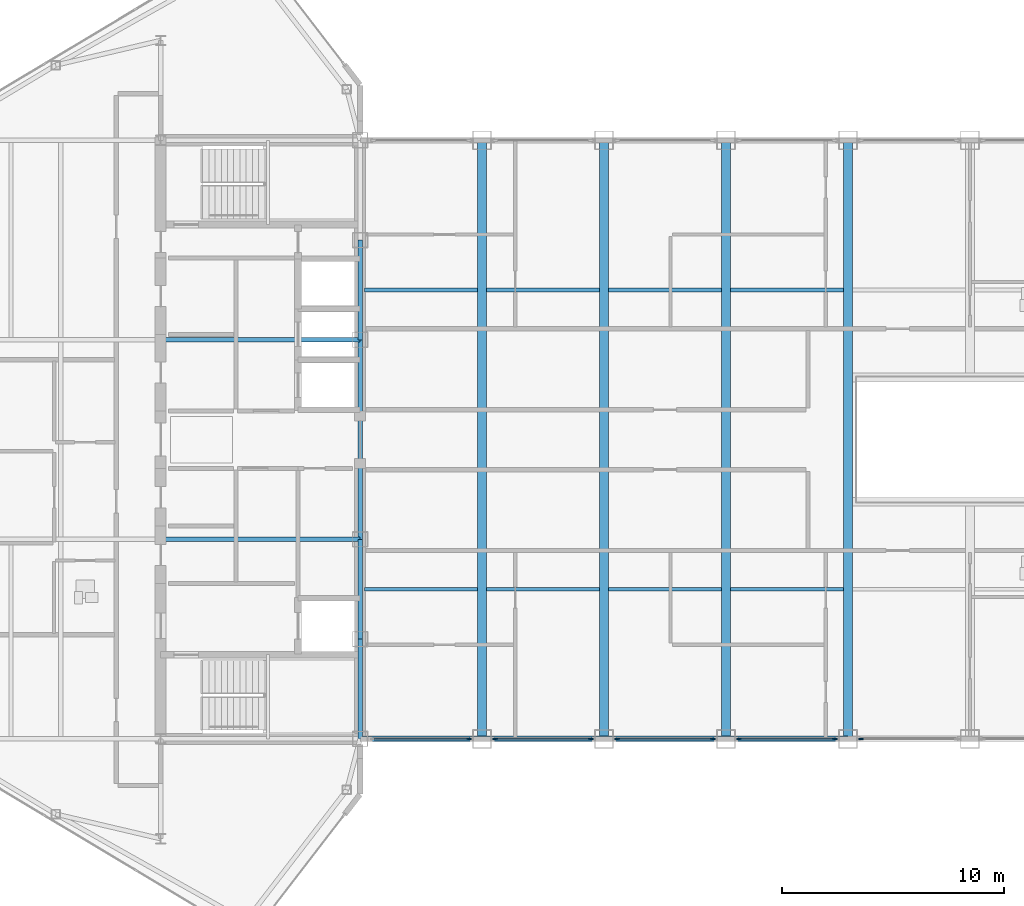
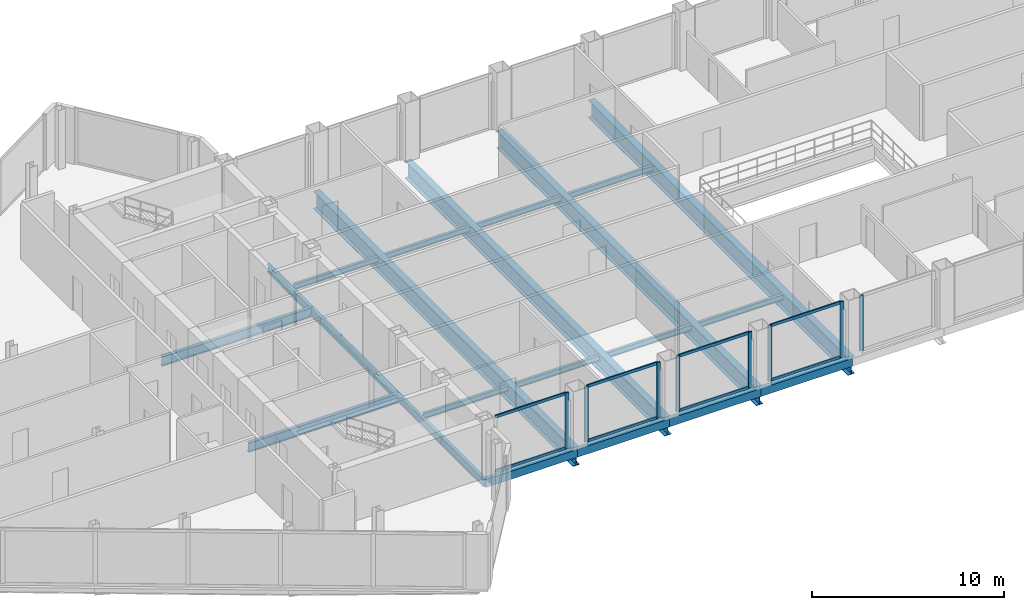
# One storey, part 10 of 29: 22 beams, 16 members, 5 elements without a shape of their own.
"""IFC4 building model written with IfcOpenShell, lengths in metres."""

from ifc_helpers import new_model, si_unit, direction, frame, origin, origin_2d, place, context, subcontext, project, spatial, rectangle, hollow_rectangle, i_section, extrude, source, transform, mapped, material, layer, layer_set, material_profile, profile_set, type_object, type_shapes, element, aggregate, save


model = new_model("IFC4")

# Units and contexts
model_context = context("Model", 3, precision=1e-05, world=origin(), true_north=direction((0.0, 1.0)))
body_context = subcontext(model_context, "Body", "Model", "MODEL_VIEW")
ifc_project = project(units=[si_unit("LENGTHUNIT", "METRE"), si_unit("AREAUNIT", "SQUARE_METRE"), si_unit("VOLUMEUNIT", "CUBIC_METRE"), si_unit("PLANEANGLEUNIT", "RADIAN"), si_unit("MASSUNIT", "GRAM", prefix="KILO")], contexts=[model_context])

# Site, building, storey
site_placement = place(None, origin())
site = spatial("IfcSite", under=ifc_project, at=site_placement, CompositionType="ELEMENT")
building_placement = place(site_placement, origin())
building = spatial("IfcBuilding", under=site, at=building_placement, Name="Seokmaru Belvedere", CompositionType="ELEMENT")
storey_placement = place(building_placement, frame((0.0, 0.0, 243.14990234375)))
storey = spatial("IfcBuildingStorey", under=building, at=storey_placement, Name="L64", CompositionType="ELEMENT", Elevation=243.14990234375)

# Beams
ifc_material_1 = material(Name="Steel SM355 (355 MPa)", Category="steel")
ifc_material_profile_1 = material_profile(ifc_material_1, i_section(OverallWidth=0.199951171875, OverallDepth=0.5, WebThickness=0.010009765625, FlangeThickness=0.01611328125, at=origin_2d()), Name="H-500x200x10x16")
ifc_profile_set_1 = profile_set([ifc_material_profile_1], Name="Steel SM355 (355 MPa)")
beam_type_1 = type_object("IfcBeamType", Name="Perimeter Spandrel Beam H-500", PredefinedType="SPANDREL", material=ifc_profile_set_1)
shared_shape_1 = source(origin(), body_context, "Body", "SweptSolid", [
    extrude(i_section(OverallWidth=0.199951171875, OverallDepth=0.5, WebThickness=0.010009765625, FlangeThickness=0.01611328125, at=origin_2d()), origin(), (0.0, 0.0, 1.0), 4.5),
])
for number, where, z_axis, x_axis, name in (
    (1, (-27.5, -13.5, -0.469970703125), (0.0, 1.0, 0.0), (-1.0, 0.0, 0.0), "L64 W Portal Spine Spandrel 1"),
    (2, (-27.5, -9.0, -0.469970703125), (0.0, 1.0, 0.0), (-1.0, 0.0, 0.0), "L64 W Portal Spine Spandrel 2"),
    (3, (-27.5, 4.5, -0.469970703125), (0.0, 1.0, 0.0), (-1.0, 0.0, 0.0), "L64 W Portal Spine Spandrel 4"),
):
    element("IfcBeam", number, at=place(storey_placement, frame(where, z_axis=z_axis, x_axis=x_axis)), inside=storey, type_object=beam_type_1, Name=name, PredefinedType="SPANDREL", context=body_context, shape_type="MappedRepresentation", body=[
        mapped(shared_shape_1, transform((0.0, 0.0, 0.0), scale=1.0)),
    ])
shared_shape_2 = source(origin(), body_context, "Body", "SweptSolid", [
    extrude(i_section(OverallWidth=0.199951171875, OverallDepth=0.5, WebThickness=0.010009765625, FlangeThickness=0.01611328125, at=origin_2d()), origin(), (0.0, 0.0, 1.0), 9.0),
])
type_shapes(beam_type_1, [shared_shape_1, shared_shape_2])
beam_placement = place(storey_placement, frame((-27.5, -4.5, -0.469970703125), z_axis=(0.0, 1.0, 0.0), x_axis=(-1.0, 0.0, 0.0)))
element("IfcBeam", 4, at=beam_placement, inside=storey, type_object=beam_type_1, Name="L64 W Portal Spine Spandrel 3", PredefinedType="SPANDREL", context=body_context, shape_type="MappedRepresentation", body=[
    mapped(shared_shape_2, transform((0.0, 0.0, 0.0), scale=1.0)),
])
ifc_material_profile_2 = material_profile(ifc_material_1, i_section(OverallWidth=0.199951171875, OverallDepth=0.60009765625, WebThickness=0.010986328125, FlangeThickness=0.01708984375, at=origin_2d()), Name="H-600x200x11x17")
ifc_profile_set_2 = profile_set([ifc_material_profile_2], Name="Steel SM355 (355 MPa)")
beam_type_2 = type_object("IfcBeamType", Name="Primary Floor Girder H-600", PredefinedType="BEAM", material=ifc_profile_set_2)
shared_shape_3 = source(origin(), body_context, "Body", "SweptSolid", [
    extrude(i_section(OverallWidth=0.199951171875, OverallDepth=0.60009765625, WebThickness=0.010986328125, FlangeThickness=0.01708984375, at=origin_2d()), origin(), (0.0, 0.0, 1.0), 9.0),
])
type_shapes(beam_type_2, [shared_shape_3])
for number, where, z_axis, x_axis, name in (
    (5, (-36.5, -4.5, -0.52001953125), (1.0, 0.0, 0.0), (0.0, 1.0, 0.0), "L64 W Core Tie Girder 2"),
    (6, (-36.5, 4.5, -0.52001953125), (1.0, 0.0, 0.0), (0.0, 1.0, 0.0), "L64 W Core Tie Girder 3"),
):
    element("IfcBeam", number, at=place(storey_placement, frame(where, z_axis=z_axis, x_axis=x_axis)), inside=storey, type_object=beam_type_2, Name=name, PredefinedType="BEAM", context=body_context, shape_type="MappedRepresentation", body=[
        mapped(shared_shape_3, transform((0.0, 0.0, 0.0), scale=1.0)),
    ])
ifc_material_profile_3 = material_profile(ifc_material_1, i_section(OverallWidth=0.39990234375, OverallDepth=1.10009765625, WebThickness=0.02001953125, FlangeThickness=0.033935546875, at=origin_2d()), Name="BH-1100x400x20x34")
ifc_profile_set_3 = profile_set([ifc_material_profile_3], Name="Steel SM355 (355 MPa)")
beam_type_3 = type_object("IfcBeamType", Name="Sky-Gate Transverse Girder BH-1100", PredefinedType="BEAM", material=ifc_profile_set_3)
shared_shape_4 = source(origin(), body_context, "Body", "SweptSolid", [
    extrude(i_section(OverallWidth=0.39990234375, OverallDepth=1.10009765625, WebThickness=0.02001953125, FlangeThickness=0.033935546875, at=origin_2d()), origin(), (0.0, 0.0, 1.0), 27.0),
])
type_shapes(beam_type_3, [shared_shape_4])
for number, where, z_axis, x_axis, name in (
    (7, (-22.0, -13.5, -0.77001953125), (0.0, 1.0, 0.0), (-1.0, 0.0, 0.0), "L64 Sky-Gate Transverse Girder 01"),
    (8, (-16.5, -13.5, -0.77001953125), (0.0, 1.0, 0.0), (-1.0, 0.0, 0.0), "L64 Sky-Gate Transverse Girder 02"),
    (9, (-11.0, -13.5, -0.77001953125), (0.0, 1.0, 0.0), (-1.0, 0.0, 0.0), "L64 Sky-Gate Transverse Girder 03"),
    (10, (-5.5, -13.5, -0.77001953125), (0.0, 1.0, 0.0), (-1.0, 0.0, 0.0), "L64 Sky-Gate Transverse Girder 04"),
):
    element("IfcBeam", number, at=place(storey_placement, frame(where, z_axis=z_axis, x_axis=x_axis)), inside=storey, type_object=beam_type_3, Name=name, PredefinedType="BEAM", context=body_context, shape_type="MappedRepresentation", body=[
        mapped(shared_shape_4, transform((0.0, 0.0, 0.0), scale=1.0)),
    ])
ifc_material_profile_4 = material_profile(ifc_material_1, i_section(OverallWidth=0.175048828125, OverallDepth=0.35009765625, WebThickness=0.007080078125, FlangeThickness=0.010986328125, at=origin_2d()), Name="H-350x175x7x11")
ifc_profile_set_4 = profile_set([ifc_material_profile_4], Name="Steel SM355 (355 MPa)")
beam_type_4 = type_object("IfcBeamType", Name="Secondary Floor Joist H-300", PredefinedType="JOIST", material=ifc_profile_set_4)
shared_shape_5 = source(origin(), body_context, "Body", "SweptSolid", [
    extrude(i_section(OverallWidth=0.175048828125, OverallDepth=0.35009765625, WebThickness=0.007080078125, FlangeThickness=0.010986328125, at=origin_2d()), origin(), (0.0, 0.0, 1.0), 5.08984375),
])
type_shapes(beam_type_4, [shared_shape_5])
for number, where, z_axis, x_axis, name in (
    (11, (-27.294921875, -6.75, -0.39501953125), (1.0, 0.0, 0.0), (0.0, 1.0, 0.0), "L64 Sky-Gate Secondary Joist S-01"),
    (12, (-21.794921875, -6.75, -0.39501953125), (1.0, 0.0, 0.0), (0.0, 1.0, 0.0), "L64 Sky-Gate Secondary Joist S-02"),
    (13, (-16.294921875, -6.75, -0.39501953125), (1.0, 0.0, 0.0), (0.0, 1.0, 0.0), "L64 Sky-Gate Secondary Joist S-03"),
    (14, (-10.794921875, -6.75, -0.39501953125), (1.0, 0.0, 0.0), (0.0, 1.0, 0.0), "L64 Sky-Gate Secondary Joist S-04"),
    (15, (-27.294921875, 6.75, -0.39501953125), (1.0, 0.0, 0.0), (0.0, 1.0, 0.0), "L64 Sky-Gate Secondary Joist N-01"),
    (16, (-21.794921875, 6.75, -0.39501953125), (1.0, 0.0, 0.0), (0.0, 1.0, 0.0), "L64 Sky-Gate Secondary Joist N-02"),
    (17, (-16.294921875, 6.75, -0.39501953125), (1.0, 0.0, 0.0), (0.0, 1.0, 0.0), "L64 Sky-Gate Secondary Joist N-03"),
    (18, (-10.794921875, 6.75, -0.39501953125), (1.0, 0.0, 0.0), (0.0, 1.0, 0.0), "L64 Sky-Gate Secondary Joist N-04"),
):
    element("IfcBeam", number, at=place(storey_placement, frame(where, z_axis=z_axis, x_axis=x_axis)), inside=storey, type_object=beam_type_4, Name=name, PredefinedType="JOIST", context=body_context, shape_type="MappedRepresentation", body=[
        mapped(shared_shape_5, transform((0.0, 0.0, 0.0), scale=1.0)),
    ])
ifc_material_profile_5 = material_profile(ifc_material_1, hollow_rectangle(XDim=0.25, YDim=0.5, WallThickness=0.013916015625, at=origin_2d()), Name="RHS-500x250x14")
ifc_profile_set_5 = profile_set([ifc_material_profile_5], Name="Steel SM355 (355 MPa)")
beam_type_5 = type_object("IfcBeamType", Name="Bridge Edge Spandrel RHS-500", PredefinedType="SPANDREL", material=ifc_profile_set_5)
shared_shape_6 = source(origin(), body_context, "Body", "SweptSolid", [
    extrude(hollow_rectangle(XDim=0.25, YDim=0.5, WallThickness=0.013916015625, at=origin_2d()), origin(), (0.0, 0.0, 1.0), 5.5),
])
type_shapes(beam_type_5, [shared_shape_6])
for number, where, z_axis, x_axis, name in (
    (19, (-27.5, -13.5, -0.469970703125), (1.0, 0.0, 0.0), (0.0, 1.0, 0.0), "L64 Sky-Gate Bridge Edge Girder S-01"),
    (20, (-22.0, -13.5, -0.469970703125), (1.0, 0.0, 0.0), (0.0, 1.0, 0.0), "L64 Sky-Gate Bridge Edge Girder S-02"),
    (21, (-16.5, -13.5, -0.469970703125), (1.0, 0.0, 0.0), (0.0, 1.0, 0.0), "L64 Sky-Gate Bridge Edge Girder S-03"),
    (22, (-11.0, -13.5, -0.469970703125), (1.0, 0.0, 0.0), (0.0, 1.0, 0.0), "L64 Sky-Gate Bridge Edge Girder S-04"),
):
    element("IfcBeam", number, at=place(storey_placement, frame(where, z_axis=z_axis, x_axis=x_axis)), inside=storey, type_object=beam_type_5, Name=name, PredefinedType="SPANDREL", context=body_context, shape_type="MappedRepresentation", body=[
        mapped(shared_shape_6, transform((0.0, 0.0, 0.0), scale=1.0)),
    ])

# Curtain wall, members
ifc_material_2 = material(Name="Bronze Triple Insulating Glass", Category="glass")
ifc_layer = layer(ifc_material_2, 0.219970703125)
ifc_layer_set = layer_set([ifc_layer], Name="Bronze Triple Insulating Glass")
curtain_wall_type = type_object("IfcCurtainWallType", Name="Sky-Gate Bridge Panorama Curtain Wall System CW-6", PredefinedType="NOTDEFINED", material=ifc_layer_set)
curtain_wall_1_placement = place(storey_placement, origin())
curtain_wall_1 = element("IfcCurtainWall", 23, at=curtain_wall_1_placement, inside=storey, type_object=curtain_wall_type, Name="L64 Curtain Wall BR_S01", PredefinedType="NOTDEFINED")
ifc_material_3 = material(Name="Anodised Bronze Aluminium", Category="aluminium")
ifc_material_profile_6 = material_profile(ifc_material_3, rectangle(XDim=0.074951171875, YDim=0.179931640625, at=origin_2d()), Name="CW-T-75x180")
ifc_profile_set_6 = profile_set([ifc_material_profile_6], Name="Anodised Bronze Aluminium")
member_type_1 = type_object("IfcMemberType", Name="Bronze Unitised Transom 75x180", PredefinedType="USERDEFINED", material=ifc_profile_set_6)
shared_shape_7 = source(origin(), body_context, "Body", "SweptSolid", [
    extrude(rectangle(XDim=0.074951171875, YDim=0.179931640625, at=origin_2d()), origin(), (0.0, 0.0, 1.0), 4.240234375),
])
type_shapes(member_type_1, [shared_shape_7])
member_1_placement = place(storey_placement, frame((-26.8701171875, -13.5, 0.03759765625), z_axis=(1.0, 0.0, 0.0), x_axis=(0.0, 1.0, 0.0)))
member_1 = element("IfcMember", 24, at=member_1_placement, type_object=member_type_1, Name="CW:L64:BR_S01 Continuous Transom 1", ObjectType="TRANSOM", PredefinedType="USERDEFINED", context=body_context, shape_type="MappedRepresentation", body=[
    mapped(shared_shape_7, transform((0.0, 0.0, 0.0), scale=1.0)),
])
member_2_placement = place(storey_placement, frame((-26.8701171875, -13.5, 3.49267578125), z_axis=(1.0, 0.0, 0.0), x_axis=(0.0, 1.0, 0.0)))
member_2 = element("IfcMember", 25, at=member_2_placement, type_object=member_type_1, Name="CW:L64:BR_S01 Continuous Transom 2", ObjectType="TRANSOM", PredefinedType="USERDEFINED", context=body_context, shape_type="MappedRepresentation", body=[
    mapped(shared_shape_7, transform((0.0, 0.0, 0.0), scale=1.0)),
])

curtain_wall_2_placement = place(storey_placement, origin())
curtain_wall_2 = element("IfcCurtainWall", 26, at=curtain_wall_2_placement, inside=storey, type_object=curtain_wall_type, Name="L64 Curtain Wall BR_S02", PredefinedType="NOTDEFINED")
member_3_placement = place(storey_placement, frame((-21.3701171875, -13.5, 0.03759765625), z_axis=(1.0, 0.0, 0.0), x_axis=(0.0, 1.0, 0.0)))
member_3 = element("IfcMember", 27, at=member_3_placement, type_object=member_type_1, Name="CW:L64:BR_S02 Continuous Transom 1", ObjectType="TRANSOM", PredefinedType="USERDEFINED", context=body_context, shape_type="MappedRepresentation", body=[
    mapped(shared_shape_7, transform((0.0, 0.0, 0.0), scale=1.0)),
])
member_4_placement = place(storey_placement, frame((-21.3701171875, -13.5, 3.49267578125), z_axis=(1.0, 0.0, 0.0), x_axis=(0.0, 1.0, 0.0)))
member_4 = element("IfcMember", 28, at=member_4_placement, type_object=member_type_1, Name="CW:L64:BR_S02 Continuous Transom 2", ObjectType="TRANSOM", PredefinedType="USERDEFINED", context=body_context, shape_type="MappedRepresentation", body=[
    mapped(shared_shape_7, transform((0.0, 0.0, 0.0), scale=1.0)),
])

curtain_wall_3_placement = place(storey_placement, origin())
curtain_wall_3 = element("IfcCurtainWall", 29, at=curtain_wall_3_placement, inside=storey, type_object=curtain_wall_type, Name="L64 Curtain Wall BR_S03", PredefinedType="NOTDEFINED")
member_5_placement = place(storey_placement, frame((-15.8701171875, -13.5, 0.03759765625), z_axis=(1.0, 0.0, 0.0), x_axis=(0.0, 1.0, 0.0)))
member_5 = element("IfcMember", 30, at=member_5_placement, type_object=member_type_1, Name="CW:L64:BR_S03 Continuous Transom 1", ObjectType="TRANSOM", PredefinedType="USERDEFINED", context=body_context, shape_type="MappedRepresentation", body=[
    mapped(shared_shape_7, transform((0.0, 0.0, 0.0), scale=1.0)),
])
member_6_placement = place(storey_placement, frame((-15.8701171875, -13.5, 3.49267578125), z_axis=(1.0, 0.0, 0.0), x_axis=(0.0, 1.0, 0.0)))
member_6 = element("IfcMember", 31, at=member_6_placement, type_object=member_type_1, Name="CW:L64:BR_S03 Continuous Transom 2", ObjectType="TRANSOM", PredefinedType="USERDEFINED", context=body_context, shape_type="MappedRepresentation", body=[
    mapped(shared_shape_7, transform((0.0, 0.0, 0.0), scale=1.0)),
])

curtain_wall_4_placement = place(storey_placement, origin())
curtain_wall_4 = element("IfcCurtainWall", 32, at=curtain_wall_4_placement, inside=storey, type_object=curtain_wall_type, Name="L64 Curtain Wall BR_S04", PredefinedType="NOTDEFINED")
member_7_placement = place(storey_placement, frame((-10.3701171875, -13.5, 0.03759765625), z_axis=(1.0, 0.0, 0.0), x_axis=(0.0, 1.0, 0.0)))
member_7 = element("IfcMember", 33, at=member_7_placement, type_object=member_type_1, Name="CW:L64:BR_S04 Continuous Transom 1", ObjectType="TRANSOM", PredefinedType="USERDEFINED", context=body_context, shape_type="MappedRepresentation", body=[
    mapped(shared_shape_7, transform((0.0, 0.0, 0.0), scale=1.0)),
])
member_8_placement = place(storey_placement, frame((-10.3701171875, -13.5, 3.49267578125), z_axis=(1.0, 0.0, 0.0), x_axis=(0.0, 1.0, 0.0)))
member_8 = element("IfcMember", 34, at=member_8_placement, type_object=member_type_1, Name="CW:L64:BR_S04 Continuous Transom 2", ObjectType="TRANSOM", PredefinedType="USERDEFINED", context=body_context, shape_type="MappedRepresentation", body=[
    mapped(shared_shape_7, transform((0.0, 0.0, 0.0), scale=1.0)),
])

# Member
ifc_material_profile_7 = material_profile(ifc_material_3, rectangle(XDim=0.080078125, YDim=0.219970703125, at=origin_2d()), Name="CW-M-80x220")
ifc_profile_set_7 = profile_set([ifc_material_profile_7], Name="Anodised Bronze Aluminium")
member_type_2 = type_object("IfcMemberType", Name="Bronze Unitised Mullion 80x220", PredefinedType="MULLION", material=ifc_profile_set_7)
shared_shape_8 = source(origin(), body_context, "Body", "SweptSolid", [
    extrude(rectangle(XDim=0.080078125, YDim=0.219970703125, at=origin_2d()), origin(), (0.0, 0.0, 1.0), 3.530029296875),
])
type_shapes(member_type_2, [shared_shape_8])
member_9_placement = place(storey_placement, frame((-22.590087890625, -13.5, 0.0), z_axis=(0.0, 0.0, 1.0), x_axis=(0.0, 1.0, 0.0)))
member_9 = element("IfcMember", 35, at=member_9_placement, type_object=member_type_2, Name="CW:L64:BR_S01 Mullion 2", PredefinedType="MULLION", context=body_context, shape_type="MappedRepresentation", body=[
    mapped(shared_shape_8, transform((0.0, 0.0, 0.0), scale=1.0)),
])

aggregate(curtain_wall_1, [member_9, member_1, member_2])

member_10_placement = place(storey_placement, frame((-21.409912109375, -13.5, 0.0), z_axis=(0.0, 0.0, 1.0), x_axis=(0.0, 1.0, 0.0)))
member_10 = element("IfcMember", 36, at=member_10_placement, type_object=member_type_2, Name="CW:L64:BR_S02 Mullion 1", PredefinedType="MULLION", context=body_context, shape_type="MappedRepresentation", body=[
    mapped(shared_shape_8, transform((0.0, 0.0, 0.0), scale=1.0)),
])

member_11_placement = place(storey_placement, frame((-17.090087890625, -13.5, 0.0), z_axis=(0.0, 0.0, 1.0), x_axis=(0.0, 1.0, 0.0)))
member_11 = element("IfcMember", 37, at=member_11_placement, type_object=member_type_2, Name="CW:L64:BR_S02 Mullion 2", PredefinedType="MULLION", context=body_context, shape_type="MappedRepresentation", body=[
    mapped(shared_shape_8, transform((0.0, 0.0, 0.0), scale=1.0)),
])

aggregate(curtain_wall_2, [member_10, member_11, member_3, member_4])

member_12_placement = place(storey_placement, frame((-15.909912109375, -13.5, 0.0), z_axis=(0.0, 0.0, 1.0), x_axis=(0.0, 1.0, 0.0)))
member_12 = element("IfcMember", 38, at=member_12_placement, type_object=member_type_2, Name="CW:L64:BR_S03 Mullion 1", PredefinedType="MULLION", context=body_context, shape_type="MappedRepresentation", body=[
    mapped(shared_shape_8, transform((0.0, 0.0, 0.0), scale=1.0)),
])

member_13_placement = place(storey_placement, frame((-11.590087890625, -13.5, 0.0), z_axis=(0.0, 0.0, 1.0), x_axis=(0.0, 1.0, 0.0)))
member_13 = element("IfcMember", 39, at=member_13_placement, type_object=member_type_2, Name="CW:L64:BR_S03 Mullion 2", PredefinedType="MULLION", context=body_context, shape_type="MappedRepresentation", body=[
    mapped(shared_shape_8, transform((0.0, 0.0, 0.0), scale=1.0)),
])

aggregate(curtain_wall_3, [member_12, member_13, member_5, member_6])

member_14_placement = place(storey_placement, frame((-10.409912109375, -13.5, 0.0), z_axis=(0.0, 0.0, 1.0), x_axis=(0.0, 1.0, 0.0)))
member_14 = element("IfcMember", 40, at=member_14_placement, type_object=member_type_2, Name="CW:L64:BR_S04 Mullion 1", PredefinedType="MULLION", context=body_context, shape_type="MappedRepresentation", body=[
    mapped(shared_shape_8, transform((0.0, 0.0, 0.0), scale=1.0)),
])

member_15_placement = place(storey_placement, frame((-6.090087890625, -13.5, 0.0), z_axis=(0.0, 0.0, 1.0), x_axis=(0.0, 1.0, 0.0)))
member_15 = element("IfcMember", 41, at=member_15_placement, type_object=member_type_2, Name="CW:L64:BR_S04 Mullion 2", PredefinedType="MULLION", context=body_context, shape_type="MappedRepresentation", body=[
    mapped(shared_shape_8, transform((0.0, 0.0, 0.0), scale=1.0)),
])

aggregate(curtain_wall_4, [member_14, member_15, member_7, member_8])

# Curtain wall, member
curtain_wall_5_placement = place(storey_placement, origin())
curtain_wall_5 = element("IfcCurtainWall", 42, at=curtain_wall_5_placement, inside=storey, type_object=curtain_wall_type, Name="L64 Curtain Wall BR_S05", PredefinedType="NOTDEFINED")
member_16_placement = place(storey_placement, frame((-4.909912109375, -13.5, 0.0), z_axis=(0.0, 0.0, 1.0), x_axis=(0.0, 1.0, 0.0)))
member_16 = element("IfcMember", 43, at=member_16_placement, type_object=member_type_2, Name="CW:L64:BR_S05 Mullion 1", PredefinedType="MULLION", context=body_context, shape_type="MappedRepresentation", body=[
    mapped(shared_shape_8, transform((0.0, 0.0, 0.0), scale=1.0)),
])
aggregate(curtain_wall_5, [member_16])

save(model, "model.ifc")
